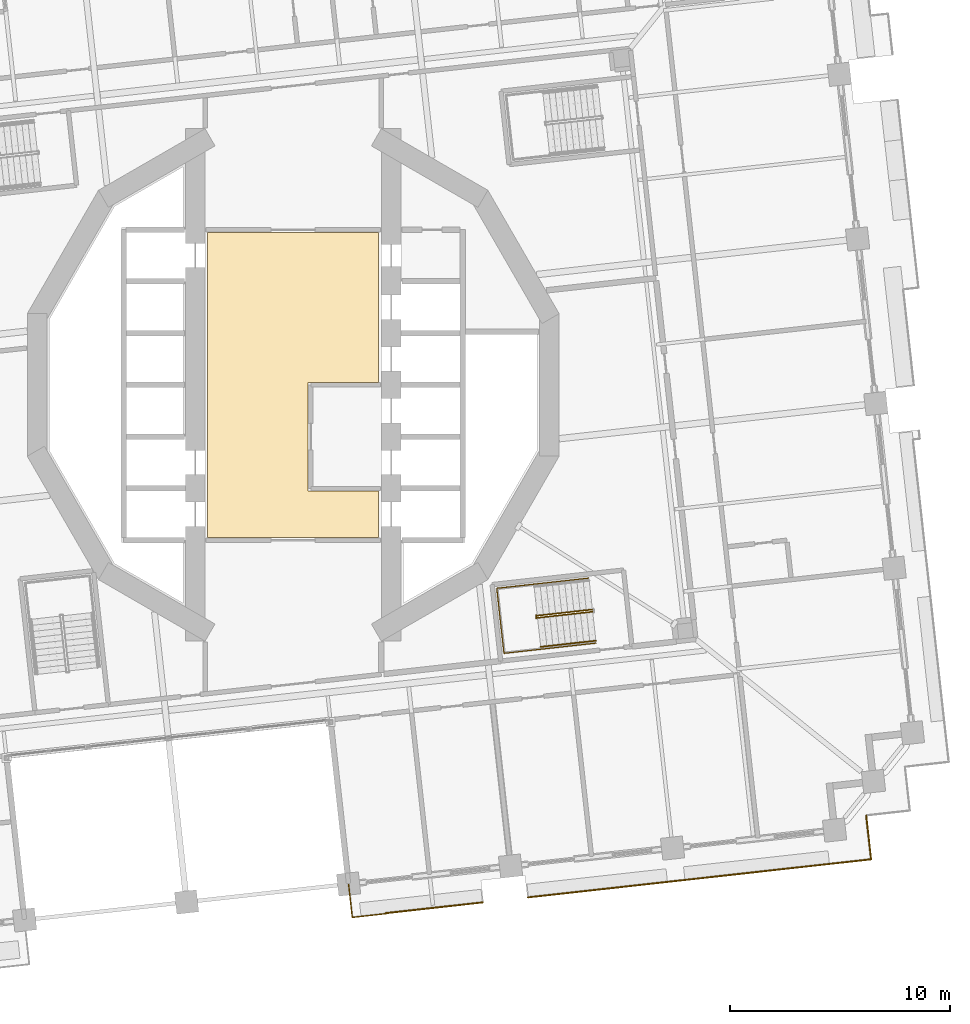
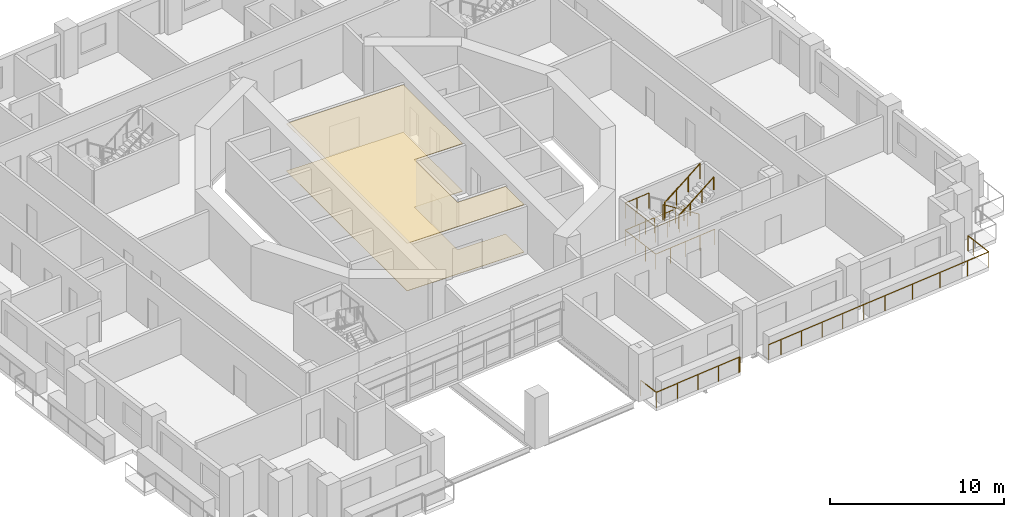
# One storey, part 16 of 21: 8 railings, 2 coverings.
"""IFC4 building model written with IfcOpenShell, lengths in metres."""

from ifc_helpers import new_model, si_unit, direction, frame, origin, origin_2d, place, context, subcontext, project, spatial, polyline, circle, outline, extrude, material, layer, layer_set, type_object, element, save


model = new_model("IFC4")

# Units and contexts
model_context = context("Model", 3, precision=1e-05, world=origin(), true_north=direction((0.0, 1.0)))
body_context = subcontext(model_context, "Body", "Model", "MODEL_VIEW")
ifc_project = project(units=[si_unit("LENGTHUNIT", "METRE"), si_unit("AREAUNIT", "SQUARE_METRE"), si_unit("VOLUMEUNIT", "CUBIC_METRE"), si_unit("PLANEANGLEUNIT", "RADIAN"), si_unit("MASSUNIT", "GRAM", prefix="KILO")], contexts=[model_context])

# Site, building, storey
site_placement = place(None, origin())
site = spatial("IfcSite", under=ifc_project, at=site_placement, CompositionType="ELEMENT")
building_placement = place(site_placement, origin())
building = spatial("IfcBuilding", under=site, at=building_placement, Name="Cantera Rosa Tower", CompositionType="ELEMENT")
storey_placement = place(building_placement, frame((0.0, 0.0, 80.5)))
storey = spatial("IfcBuildingStorey", under=building, at=storey_placement, Name="L17", CompositionType="ELEMENT", Elevation=80.5)

# Railings
ifc_material_1 = material(Name="Stainless steel and laminated glass", Category="steel")
railing_type_1 = type_object("IfcRailingType", Name="GUARD 1100", PredefinedType="BALUSTRADE", material=ifc_material_1)
railing_1_placement = place(storey_placement, frame((4.195068359375, -24.005126953125, 0.0)))
element("IfcRailing", 1, at=railing_1_placement, inside=storey, type_object=railing_type_1, Name="GUARD L17-7", PredefinedType="BALUSTRADE", context=body_context, shape_type="SweptSolid", body=[
    extrude(circle(Radius=0.030029296875, at=origin_2d()), frame((0.0, 0.0, 1.070068359375), z_axis=(-0.993887647702, -0.110396303135, 0.0), x_axis=(0.110396303135, -0.993887647702, 0.0)), (0.0, 0.0, 1.0), 1.521484375),
    extrude(circle(Radius=0.030029296875, at=origin_2d()), frame((-1.51220703125, -0.16796875, 1.070068359375), z_axis=(-0.110235227649, 0.993905525986, 0.0), x_axis=(-0.993905525986, -0.110235227649, 0.0)), (0.0, 0.0, 1.0), 1.50146484375),
    extrude(circle(Radius=0.02490234375, at=origin_2d()), origin(), (0.0, 0.0, 1.0), 1.0400390625),
    extrude(circle(Radius=0.02490234375, at=origin_2d()), frame((-1.51220703125, -0.16796875, 0.0)), (0.0, 0.0, 1.0), 1.0400390625),
    extrude(circle(Radius=0.02490234375, at=origin_2d()), frame((-1.677734375, 1.324462890625, 0.0)), (0.0, 0.0, 1.0), 1.0400390625),
])
railing_2_placement = place(storey_placement, frame((8.6142578125, -23.4931640625, 0.0)))
element("IfcRailing", 2, at=railing_2_placement, inside=storey, type_object=railing_type_1, Name="GUARD L17-8", PredefinedType="BALUSTRADE", context=body_context, shape_type="SweptSolid", body=[
    extrude(circle(Radius=0.030029296875, at=origin_2d()), frame((0.0, 0.0, 1.070068359375), z_axis=(-0.994136314057, -0.108134125389, 0.0), x_axis=(0.108134125389, -0.994136314057, 0.0)), (0.0, 0.0, 1.0), 0.070068359375),
    extrude(circle(Radius=0.030029296875, at=origin_2d()), frame((-0.069580078125, -0.007568359375, 1.070068359375), z_axis=(-0.993893250705, -0.110345848143, 0.0), x_axis=(0.110345848143, -0.993893250705, 0.0)), (0.0, 0.0, 1.0), 4.378662109375),
    extrude(circle(Radius=0.030029296875, at=origin_2d()), frame((-4.42138671875, -0.49072265625, 1.070068359375), z_axis=(0.102899151086, -0.994691793827, 0.0), x_axis=(0.994691793827, 0.102899151086, 0.0)), (0.0, 0.0, 1.0), 0.021240234375),
    extrude(circle(Radius=0.02490234375, at=origin_2d()), origin(), (0.0, 0.0, 1.0), 1.0400390625),
    extrude(circle(Radius=0.02490234375, at=origin_2d()), frame((-0.069580078125, -0.007568359375, 0.0)), (0.0, 0.0, 1.0), 1.0400390625),
    extrude(circle(Radius=0.02490234375, at=origin_2d()), frame((-1.520263671875, -0.168701171875, 0.0)), (0.0, 0.0, 1.0), 1.0400390625),
    extrude(circle(Radius=0.02490234375, at=origin_2d()), frame((-2.970703125, -0.32958984375, 0.0)), (0.0, 0.0, 1.0), 1.0400390625),
    extrude(circle(Radius=0.02490234375, at=origin_2d()), frame((-4.42138671875, -0.49072265625, 0.0)), (0.0, 0.0, 1.0), 1.0400390625),
    extrude(circle(Radius=0.02490234375, at=origin_2d()), frame((-4.419189453125, -0.511962890625, 0.0)), (0.0, 0.0, 1.0), 1.0400390625),
])
railing_3_placement = place(storey_placement, frame((26.015380859375, -19.549560546875, 0.0)))
element("IfcRailing", 3, at=railing_3_placement, inside=storey, type_object=railing_type_1, Name="GUARD L17-9", PredefinedType="BALUSTRADE", context=body_context, shape_type="SweptSolid", body=[
    extrude(circle(Radius=0.030029296875, at=origin_2d()), frame((0.0, 0.0, 1.070068359375), z_axis=(0.110377921269, -0.9938896893, 0.0), x_axis=(0.9938896893, 0.110377921269, 0.0)), (0.0, 0.0, 1.0), 0.5),
    extrude(circle(Radius=0.030029296875, at=origin_2d()), frame((0.05517578125, -0.496826171875, 1.070068359375), z_axis=(0.110181444005, -0.99391148972, 0.0), x_axis=(0.99391148972, 0.110181444005, 0.0)), (0.0, 0.0, 1.0), 1.5),
    extrude(circle(Radius=0.030029296875, at=origin_2d()), frame((0.220458984375, -1.98779296875, 1.070068359375), z_axis=(-0.993909513469, -0.110199269672, 0.0), x_axis=(0.110199269672, -0.993909513469, 0.0)), (0.0, 0.0, 1.0), 1.499755859375),
    extrude(circle(Radius=0.030029296875, at=origin_2d()), frame((-1.270263671875, -2.153076171875, 1.070068359375), z_axis=(-0.993896343916, -0.1103179838, 0.0), x_axis=(0.1103179838, -0.993896343916, 0.0)), (0.0, 0.0, 1.0), 5.900146484375),
    extrude(circle(Radius=0.030029296875, at=origin_2d()), frame((-7.13427734375, -2.803955078125, 1.070068359375), z_axis=(-0.993892663362, -0.110351138256, 0.0), x_axis=(0.110351138256, -0.993892663362, 0.0)), (0.0, 0.0, 1.0), 3.0),
    extrude(circle(Radius=0.030029296875, at=origin_2d()), frame((-10.115966796875, -3.135009765625, 1.070068359375), z_axis=(-0.993897260817, -0.110309722784, 0.0), x_axis=(0.110309722784, -0.993897260817, 0.0)), (0.0, 0.0, 1.0), 4.39990234375),
    extrude(circle(Radius=0.030029296875, at=origin_2d()), frame((-14.489013671875, -3.620361328125, 1.070068359375), z_axis=(-0.993900832769, -0.110277534522, 0.0), x_axis=(0.110277534522, -0.993900832769, 0.0)), (0.0, 0.0, 1.0), 0.8701171875),
    extrude(circle(Radius=0.02490234375, at=origin_2d()), origin(), (0.0, 0.0, 1.0), 1.0400390625),
    extrude(circle(Radius=0.02490234375, at=origin_2d()), frame((0.05517578125, -0.496826171875, 0.0)), (0.0, 0.0, 1.0), 1.0400390625),
    extrude(circle(Radius=0.02490234375, at=origin_2d()), frame((0.220458984375, -1.98779296875, 0.0)), (0.0, 0.0, 1.0), 1.0400390625),
    extrude(circle(Radius=0.02490234375, at=origin_2d()), frame((-1.270263671875, -2.153076171875, 0.0)), (0.0, 0.0, 1.0), 1.0400390625),
    extrude(circle(Radius=0.02490234375, at=origin_2d()), frame((-3.224853515625, -2.3701171875, 0.0)), (0.0, 0.0, 1.0), 1.0400390625),
    extrude(circle(Radius=0.02490234375, at=origin_2d()), frame((-5.1796875, -2.5869140625, 0.0)), (0.0, 0.0, 1.0), 1.0400390625),
    extrude(circle(Radius=0.02490234375, at=origin_2d()), frame((-7.13427734375, -2.803955078125, 0.0)), (0.0, 0.0, 1.0), 1.0400390625),
    extrude(circle(Radius=0.02490234375, at=origin_2d()), frame((-8.625, -2.969482421875, 0.0)), (0.0, 0.0, 1.0), 1.0400390625),
    extrude(circle(Radius=0.02490234375, at=origin_2d()), frame((-10.115966796875, -3.135009765625, 0.0)), (0.0, 0.0, 1.0), 1.0400390625),
    extrude(circle(Radius=0.02490234375, at=origin_2d()), frame((-11.57373046875, -3.296875, 0.0)), (0.0, 0.0, 1.0), 1.0400390625),
    extrude(circle(Radius=0.02490234375, at=origin_2d()), frame((-13.03125, -3.45849609375, 0.0)), (0.0, 0.0, 1.0), 1.0400390625),
    extrude(circle(Radius=0.02490234375, at=origin_2d()), frame((-14.489013671875, -3.620361328125, 0.0)), (0.0, 0.0, 1.0), 1.0400390625),
    extrude(circle(Radius=0.02490234375, at=origin_2d()), frame((-15.353759765625, -3.71630859375, 0.0)), (0.0, 0.0, 1.0), 1.0400390625),
])
ifc_material_2 = material(Name="Steel S355J2 (EN 10025-2)", Category="steel")
railing_type_2 = type_object("IfcRailingType", Name="STAIR GUARD 1100", PredefinedType="GUARDRAIL", material=ifc_material_2)
railing_4_placement = place(storey_placement, frame((13.5859375, -10.19677734375, 0.18994140625)))
element("IfcRailing", 4, at=railing_4_placement, inside=storey, type_object=railing_type_2, Name="L17 ST-14 stair guard 1", PredefinedType="GUARDRAIL", context=body_context, shape_type="SweptSolid", body=[
    extrude(circle(Radius=0.02392578125, at=origin_2d()), frame((0.0, 0.0, 1.076171875), z_axis=(-0.822405392514, -0.091316020869, 0.561525382059), x_axis=(0.110357086308, -0.993892002937, 0.0)), (0.0, 0.0, 1.0), 3.045166015625),
    extrude(circle(Radius=0.02392578125, at=origin_2d()), frame((-2.50439453125, -0.278076171875, 2.7861328125), z_axis=(-0.933456941688, 0.358689472963, 0.0), x_axis=(-0.358689472963, -0.933456941688, 0.0)), (0.0, 0.0, 1.0), 0.056396484375),
    extrude(circle(Radius=0.02392578125, at=origin_2d()), frame((-2.55712890625, -0.2578125, 2.7861328125), z_axis=(0.110789159685, -0.993843932464, 0.0), x_axis=(0.993843932464, 0.110789159685, 0.0)), (0.0, 0.0, 1.0), 0.14990234375),
    extrude(circle(Radius=0.02099609375, at=origin_2d()), origin(), (0.0, 0.0, 1.0), 1.052001953125),
    extrude(circle(Radius=0.02099609375, at=origin_2d()), frame((-0.834716796875, -0.0927734375, 0.570068359375)), (0.0, 0.0, 1.0), 1.052001953125),
    extrude(circle(Radius=0.02099609375, at=origin_2d()), frame((-1.669677734375, -0.185302734375, 1.139892578125)), (0.0, 0.0, 1.0), 1.052001953125),
    extrude(circle(Radius=0.02099609375, at=origin_2d()), frame((-2.50439453125, -0.278076171875, 1.7099609375)), (0.0, 0.0, 1.0), 1.052001953125),
    extrude(circle(Radius=0.02099609375, at=origin_2d()), frame((-2.55712890625, -0.2578125, 1.7099609375)), (0.0, 0.0, 1.0), 1.052001953125),
    extrude(circle(Radius=0.02099609375, at=origin_2d()), frame((-2.54052734375, -0.40673828125, 1.7099609375)), (0.0, 0.0, 1.0), 1.052001953125),
])
railing_5_placement = place(storey_placement, frame((11.09228515625, -10.572265625, 2.090087890625)))
element("IfcRailing", 5, at=railing_5_placement, inside=storey, type_object=railing_type_2, Name="L17 ST-14 stair guard 2", PredefinedType="GUARDRAIL", context=body_context, shape_type="SweptSolid", body=[
    extrude(circle(Radius=0.02392578125, at=origin_2d()), frame((0.0, 0.0, 1.076171875), z_axis=(0.822431337597, 0.091310000343, 0.561488360321), x_axis=(-0.110346460196, 0.993893182753, 0.0)), (0.0, 0.0, 1.0), 3.04541015625),
    extrude(circle(Radius=0.02099609375, at=origin_2d()), origin(), (0.0, 0.0, 1.0), 1.052001953125),
    extrude(circle(Radius=0.02099609375, at=origin_2d()), frame((0.8349609375, 0.0927734375, 0.570068359375)), (0.0, 0.0, 1.0), 1.052001953125),
    extrude(circle(Radius=0.02099609375, at=origin_2d()), frame((1.669677734375, 0.185302734375, 1.139892578125)), (0.0, 0.0, 1.0), 1.052001953125),
    extrude(circle(Radius=0.02099609375, at=origin_2d()), frame((2.504638671875, 0.278076171875, 1.7099609375)), (0.0, 0.0, 1.0), 1.052001953125),
])
railing_6_placement = place(storey_placement, frame((13.415771484375, -8.77099609375, 0.0)))
element("IfcRailing", 6, at=railing_6_placement, inside=storey, type_object=railing_type_2, Name="L17 ST-14 stair guard 4", PredefinedType="GUARDRAIL", context=body_context, shape_type="SweptSolid", body=[
    extrude(circle(Radius=0.02392578125, at=origin_2d()), frame((0.0, 0.0, 1.076171875), z_axis=(-0.9938957856, -0.110323013767, 0.0), x_axis=(0.110323013767, -0.9938957856, 0.0)), (0.0, 0.0, 1.0), 4.197998046875),
    extrude(circle(Radius=0.02392578125, at=origin_2d()), frame((-4.17236328125, -0.463134765625, 1.076171875), z_axis=(0.110314237986, -0.993896759678, 0.0), x_axis=(0.993896759678, 0.110314237986, 0.0)), (0.0, 0.0, 1.0), 2.969970703125),
    extrude(circle(Radius=0.02392578125, at=origin_2d()), frame((-3.8447265625, -3.4150390625, 1.076171875), z_axis=(0.9938957856, 0.110323013767, 0.0), x_axis=(-0.110323013767, 0.9938957856, 0.0)), (0.0, 0.0, 1.0), 4.197998046875),
    extrude(circle(Radius=0.02099609375, at=origin_2d()), origin(), (0.0, 0.0, 1.0), 1.052001953125),
    extrude(circle(Radius=0.02099609375, at=origin_2d()), frame((-1.04296875, -0.11572265625, 0.0)), (0.0, 0.0, 1.0), 1.052001953125),
    extrude(circle(Radius=0.02099609375, at=origin_2d()), frame((-2.086181640625, -0.2314453125, 0.0)), (0.0, 0.0, 1.0), 1.052001953125),
    extrude(circle(Radius=0.02099609375, at=origin_2d()), frame((-3.12939453125, -0.347412109375, 0.0)), (0.0, 0.0, 1.0), 1.052001953125),
    extrude(circle(Radius=0.02099609375, at=origin_2d()), frame((-4.17236328125, -0.463134765625, 0.0)), (0.0, 0.0, 1.0), 1.052001953125),
    extrude(circle(Radius=0.02099609375, at=origin_2d()), frame((-4.063232421875, -1.447021484375, 0.0)), (0.0, 0.0, 1.0), 1.052001953125),
    extrude(circle(Radius=0.02099609375, at=origin_2d()), frame((-3.953857421875, -2.43115234375, 0.0)), (0.0, 0.0, 1.0), 1.052001953125),
    extrude(circle(Radius=0.02099609375, at=origin_2d()), frame((-3.8447265625, -3.4150390625, 0.0)), (0.0, 0.0, 1.0), 1.052001953125),
    extrude(circle(Radius=0.02099609375, at=origin_2d()), frame((-2.8017578125, -3.29931640625, 0.0)), (0.0, 0.0, 1.0), 1.052001953125),
    extrude(circle(Radius=0.02099609375, at=origin_2d()), frame((-1.758544921875, -3.18359375, 0.0)), (0.0, 0.0, 1.0), 1.052001953125),
    extrude(circle(Radius=0.02099609375, at=origin_2d()), frame((-0.71533203125, -3.067626953125, 0.0)), (0.0, 0.0, 1.0), 1.052001953125),
    extrude(circle(Radius=0.02099609375, at=origin_2d()), frame((0.32763671875, -2.951904296875, 0.0)), (0.0, 0.0, 1.0), 1.052001953125),
])
railing_7_placement = place(storey_placement, frame((10.93505859375, -9.04638671875, 1.89990234375)))
element("IfcRailing", 7, at=railing_7_placement, inside=storey, type_object=railing_type_2, Name="L17 ST-14 stair guard 5", PredefinedType="GUARDRAIL", context=body_context, shape_type="SweptSolid", body=[
    extrude(circle(Radius=0.02392578125, at=origin_2d()), frame((0.0, 0.0, 1.076171875), z_axis=(-0.993897720867, -0.110305577623, 0.0), x_axis=(0.110305577623, -0.993897720867, 0.0)), (0.0, 0.0, 1.0), 1.7021484375),
    extrude(circle(Radius=0.02392578125, at=origin_2d()), frame((-1.691650390625, -0.187744140625, 1.076171875), z_axis=(0.110314237986, -0.993896759678, 0.0), x_axis=(0.993896759678, 0.110314237986, 0.0)), (0.0, 0.0, 1.0), 2.969970703125),
    extrude(circle(Radius=0.02392578125, at=origin_2d()), frame((-1.364013671875, -3.1396484375, 1.076171875), z_axis=(0.993881985305, 0.110447269257, 0.0), x_axis=(-0.110447269257, 0.993881985305, 0.0)), (0.0, 0.0, 1.0), 1.7021484375),
    extrude(circle(Radius=0.02099609375, at=origin_2d()), origin(), (0.0, 0.0, 1.0), 1.052001953125),
    extrude(circle(Radius=0.02099609375, at=origin_2d()), frame((-0.845703125, -0.09375, 0.0)), (0.0, 0.0, 1.0), 1.052001953125),
    extrude(circle(Radius=0.02099609375, at=origin_2d()), frame((-1.691650390625, -0.187744140625, 0.0)), (0.0, 0.0, 1.0), 1.052001953125),
    extrude(circle(Radius=0.02099609375, at=origin_2d()), frame((-1.58251953125, -1.171630859375, 0.0)), (0.0, 0.0, 1.0), 1.052001953125),
    extrude(circle(Radius=0.02099609375, at=origin_2d()), frame((-1.47314453125, -2.15576171875, 0.0)), (0.0, 0.0, 1.0), 1.052001953125),
    extrude(circle(Radius=0.02099609375, at=origin_2d()), frame((-1.364013671875, -3.1396484375, 0.0)), (0.0, 0.0, 1.0), 1.052001953125),
    extrude(circle(Radius=0.02099609375, at=origin_2d()), frame((-0.51806640625, -3.045654296875, 0.0)), (0.0, 0.0, 1.0), 1.052001953125),
    extrude(circle(Radius=0.02099609375, at=origin_2d()), frame((0.32763671875, -2.95166015625, 0.0)), (0.0, 0.0, 1.0), 1.052001953125),
])
ifc_material_3 = material(Name="Steel S355J2 (EN 10025-2)", Category="steel")
railing_type_3 = type_object("IfcRailingType", Name="STAIR HANDRAIL 900", PredefinedType="HANDRAIL", material=ifc_material_3)
railing_8_placement = place(storey_placement, frame((11.238525390625, -11.89013671875, 2.090087890625)))
element("IfcRailing", 8, at=railing_8_placement, inside=storey, type_object=railing_type_3, Name="L17 ST-14 stair handrail 2", PredefinedType="HANDRAIL", context=body_context, shape_type="SweptSolid", body=[
    extrude(circle(Radius=0.02392578125, at=origin_2d()), frame((0.0, 0.0, 0.8759765625), z_axis=(0.822431337597, 0.091310000343, 0.561488360321), x_axis=(-0.110346460196, 0.993893182753, 0.0)), (0.0, 0.0, 1.0), 3.04541015625),
    extrude(circle(Radius=0.02099609375, at=origin_2d()), origin(), (0.0, 0.0, 1.0), 0.851806640625),
    extrude(circle(Radius=0.02099609375, at=origin_2d()), frame((0.8349609375, 0.0927734375, 0.570068359375)), (0.0, 0.0, 1.0), 0.851806640625),
    extrude(circle(Radius=0.02099609375, at=origin_2d()), frame((1.669677734375, 0.185302734375, 1.139892578125)), (0.0, 0.0, 1.0), 0.851806640625),
    extrude(circle(Radius=0.02099609375, at=origin_2d()), frame((2.504638671875, 0.278076171875, 1.7099609375)), (0.0, 0.0, 1.0), 0.851806640625),
])

# Coverings
ifc_material_4 = material(Name="Limestone paving", Category="masonry")
ifc_layer_1 = layer(ifc_material_4, 0.02490234375)
ifc_layer_set_1 = layer_set([ifc_layer_1], Name="STONE FLOOR FINISH 25")
covering_type_1 = type_object("IfcCoveringType", Name="STONE FLOOR FINISH 25", PredefinedType="FLOORING", material=ifc_layer_set_1)
covering_1_placement = place(storey_placement, origin())
element("IfcCovering", 9, at=covering_1_placement, inside=storey, type_object=covering_type_1, Name="STONE FLOOR FINISH L17", PredefinedType="FLOORING", context=body_context, shape_type="SweptSolid", body=[
    extrude(outline(polyline([(3.8798828125, 6.929931640625), (3.8798828125, 0.1201171875), (0.679931640625, 0.1201171875), (0.679931640625, -4.820068359375), (3.8798828125, -4.820068359375), (3.8798828125, -6.929931640625), (-3.8798828125, -6.929931640625), (-3.8798828125, 6.929931640625), (3.8798828125, 6.929931640625)])), origin(), (0.0, 0.0, 1.0), 0.02490234375),
])
ifc_material_5 = material(Name="Gypsum ceiling tile")
ifc_layer_2 = layer(ifc_material_5, 0.030029296875)
ifc_layer_set_2 = layer_set([ifc_layer_2], Name="SUSPENDED CEILING 30")
covering_type_2 = type_object("IfcCoveringType", Name="SUSPENDED CEILING 30", PredefinedType="CEILING", material=ifc_layer_set_2)
covering_2_placement = place(storey_placement, frame((0.0, 0.0, 3.320068359375)))
element("IfcCovering", 10, at=covering_2_placement, inside=storey, type_object=covering_type_2, Name="SUSPENDED CEILING L17", PredefinedType="CEILING", context=body_context, shape_type="SweptSolid", body=[
    extrude(outline(polyline([(3.8798828125, 6.929931640625), (3.8798828125, 0.1201171875), (0.679931640625, 0.1201171875), (0.679931640625, -4.820068359375), (3.8798828125, -4.820068359375), (3.8798828125, -6.929931640625), (-3.8798828125, -6.929931640625), (-3.8798828125, 6.929931640625), (3.8798828125, 6.929931640625)])), origin(), (0.0, 0.0, 1.0), 0.030029296875),
])

save(model, "model.ifc")
